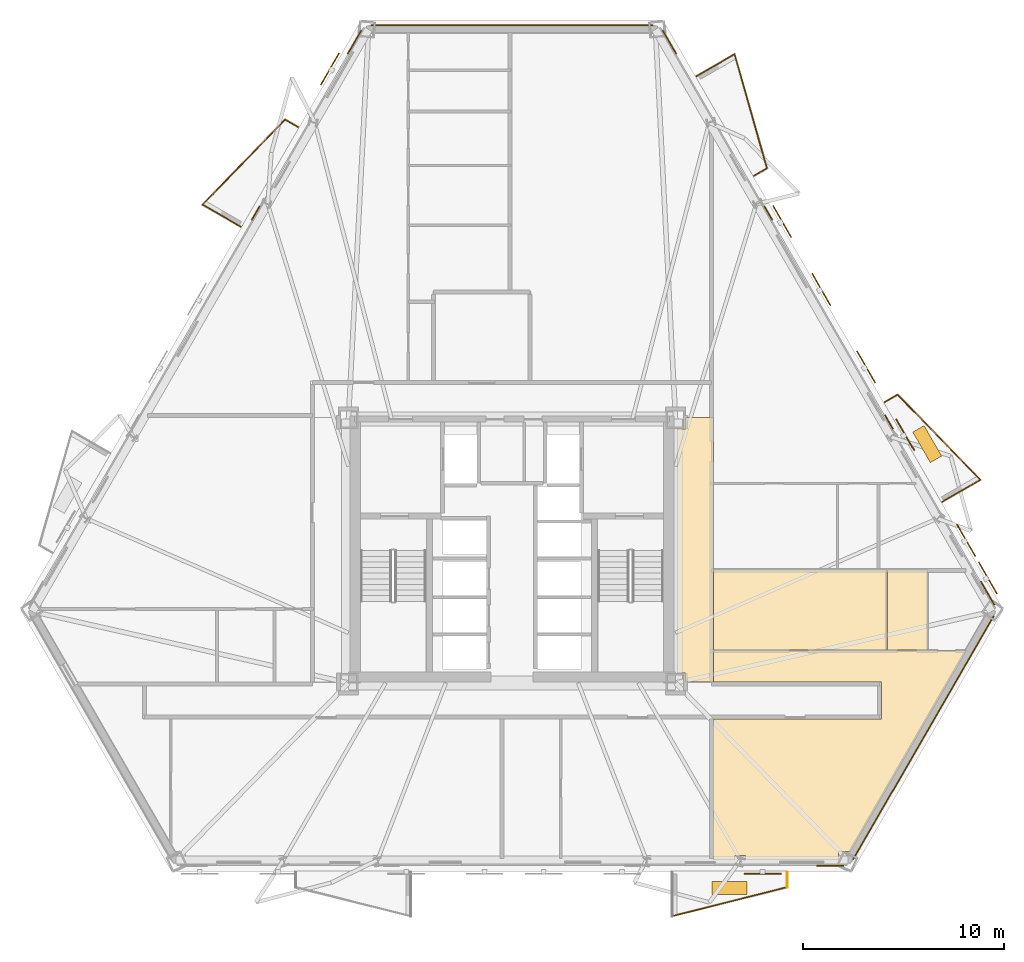
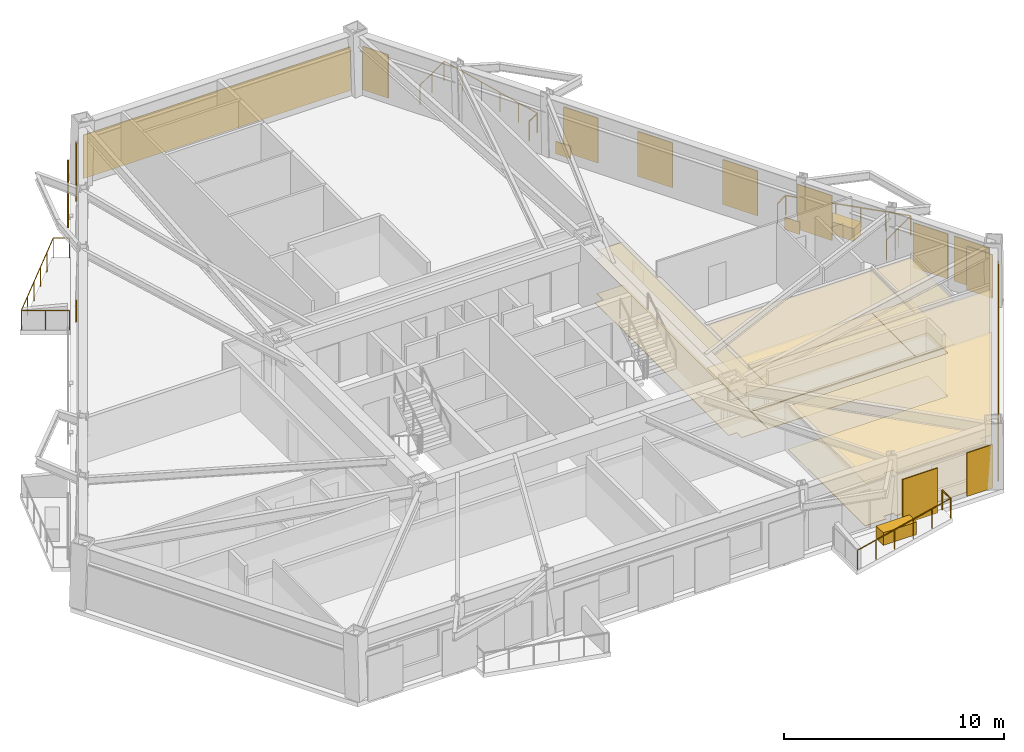
# One storey, part 10 of 10: 19 coverings, 11 railings, 8 shading devices.
"""IFC4 building model written with IfcOpenShell, lengths in metres."""

import ifcopenshell
import ifcopenshell.guid

model = None  # the IFC model being written
_history = None  # IfcOwnerHistory: only IFC2X3 demands one
_inside = {}  # id of a spatial element -> (the spatial element, [elements in it])
_under = {}  # id of a project, library or spatial element -> (it, [spatial elements below it])
_declared = {}  # id of a project -> (the project, [libraries it declares])
_typed = {}  # id of a type object -> (the type object, [elements of that type])
_made_of = {}  # id of a material, layer set ... -> (it, [elements and type objects made of it])


def new_model(schema):
    """Start an empty IFC model of exactly this schema.

    Asked for "IFC4X3", IfcOpenShell would pick the latest addendum, in which some entities
    have other attributes; the version numbers below select the first issue.
    IFC2X3 requires an IfcOwnerHistory on every rooted entity: one is made here for all.
    """
    global model, _history
    if schema == "IFC4X3":
        model = ifcopenshell.file(schema_version=(4, 3, 0, 0))
    else:
        model = ifcopenshell.file(schema=schema)
    _inside.clear()
    _under.clear()
    _declared.clear()
    _typed.clear()
    _made_of.clear()
    _history = None
    if model.schema == "IFC2X3":
        org = make("IfcOrganization", Name="unknown")
        user = make(
            "IfcPersonAndOrganization",
            ThePerson=make("IfcPerson", FamilyName="unknown"),
            TheOrganization=org,
        )
        app = make(
            "IfcApplication",
            ApplicationDeveloper=org,
            Version="unknown",
            ApplicationFullName="unknown",
            ApplicationIdentifier="unknown",
        )
        _history = make(
            "IfcOwnerHistory",
            OwningUser=user,
            OwningApplication=app,
            ChangeAction="ADDED",
            CreationDate=0,
        )
    return model


def make(cls, **values):
    """One entity of the class cls with the attributes given. An attribute that is None is left unset."""
    return model.create_entity(
        cls, **{name: value for name, value in values.items() if value is not None}
    )


def rooted(cls, **values):
    """An entity with a GlobalId (a new one), such as an element, a storey or a relation."""
    return make(cls, GlobalId=ifcopenshell.guid.new(), OwnerHistory=_history, **values)


def si_unit(unit_type, name, prefix=None):
    """IfcSIUnit, for example si_unit("LENGTHUNIT", "METRE", prefix="MILLI")."""
    return make("IfcSIUnit", UnitType=unit_type, Prefix=prefix, Name=name)


def assignment(units):
    """IfcUnitAssignment: the units of a project."""
    return None if units is None else make("IfcUnitAssignment", Units=units)


def point(xyz):
    """IfcCartesianPoint."""
    return None if xyz is None else make("IfcCartesianPoint", Coordinates=xyz)


def direction(xyz):
    """IfcDirection."""
    return None if xyz is None else make("IfcDirection", DirectionRatios=xyz)


def frame(location, z_axis=None, x_axis=None):
    """IfcAxis2Placement3D, a coordinate frame: its origin and axes. An axis left out is left unset."""
    return make(
        "IfcAxis2Placement3D",
        Location=point(location),
        Axis=direction(z_axis),
        RefDirection=direction(x_axis),
    )


def frame_2d(location, x_axis=None):
    """IfcAxis2Placement2D, a coordinate frame in the plane: its origin and x axis."""
    return make(
        "IfcAxis2Placement2D", Location=point(location), RefDirection=direction(x_axis)
    )


def origin():
    """The frame at (0, 0, 0) with its axes left unset."""
    return frame((0.0, 0.0, 0.0))


def origin_2d():
    """The frame at (0, 0) in the plane with its x axis left unset."""
    return frame_2d((0.0, 0.0))


def place(relative_to, where):
    """IfcLocalPlacement: puts the frame where relative to a parent placement (None: the world)."""
    return make(
        "IfcLocalPlacement", PlacementRelTo=relative_to, RelativePlacement=where
    )


def context(
    kind, dimensions, precision=None, world=None, true_north=None, identifier=None
):
    """IfcGeometricRepresentationContext, for example the 3D "Model" context."""
    return make(
        "IfcGeometricRepresentationContext",
        ContextIdentifier=identifier,
        ContextType=kind,
        CoordinateSpaceDimension=dimensions,
        Precision=precision,
        WorldCoordinateSystem=world,
        TrueNorth=true_north,
    )


def subcontext(parent, identifier, kind, view, scale=None):
    """IfcGeometricRepresentationSubContext, for example "Body" below "Model"."""
    return make(
        "IfcGeometricRepresentationSubContext",
        ContextIdentifier=identifier,
        ContextType=kind,
        ParentContext=parent,
        TargetScale=scale,
        TargetView=view,
    )


def project(units=None, contexts=None):
    """IfcProject with its units and contexts."""
    return rooted(
        "IfcProject",
        Name="project",
        RepresentationContexts=contexts,
        UnitsInContext=assignment(units),
    )


def spatial(cls, under=None, at=None, **own):
    """A site, building, storey or space (cls), placed at a placement, below another one or the project."""
    s = rooted(cls, ObjectPlacement=at, **own)
    if under is not None:
        _under.setdefault(under.id(), (under, []))[1].append(s)
    return s


def polyline(points):
    """IfcPolyline through the points."""
    return make("IfcPolyline", Points=[point(p) for p in points])


def profile(cls, at=None, kind="AREA", **sizes):
    """A parametric profile (cls). Its sizes go by their IFC names, for example OverallWidth=200.0."""
    return make(cls, ProfileType=kind, Position=at, **sizes)


def rectangle(**sizes):
    """IfcRectangleProfileDef."""
    return profile("IfcRectangleProfileDef", **sizes)


def circle(**sizes):
    """IfcCircleProfileDef."""
    return profile("IfcCircleProfileDef", **sizes)


def outline(outer, holes=None, kind="AREA"):
    """IfcArbitraryClosedProfileDef: a profile drawn as a closed curve; with holes, ...WithVoids."""
    if holes is None:
        return make("IfcArbitraryClosedProfileDef", ProfileType=kind, OuterCurve=outer)
    return make(
        "IfcArbitraryProfileDefWithVoids",
        ProfileType=kind,
        OuterCurve=outer,
        InnerCurves=holes,
    )


def extrude(swept, where, along, depth):
    """IfcExtrudedAreaSolid: the profile swept, set in the frame where, extruded along a direction by depth."""
    return make(
        "IfcExtrudedAreaSolid",
        SweptArea=swept,
        Position=where,
        ExtrudedDirection=direction(along),
        Depth=depth,
    )


def shape(context_of_items, identifier, shape_type, items):
    """IfcShapeRepresentation: the items that make up one representation, for example the "Body"."""
    return make(
        "IfcShapeRepresentation",
        ContextOfItems=context_of_items,
        RepresentationIdentifier=identifier,
        RepresentationType=shape_type,
        Items=items,
    )


def material(Name=None, Category=None):
    """IfcMaterial."""
    return make("IfcMaterial", Name=Name, Category=Category)


def layer(
    of_material, thickness, ventilated=None, Name=None, Category=None, Priority=None
):
    """IfcMaterialLayer: one layer of a wall or slab, of a material (None: an air gap)."""
    return make(
        "IfcMaterialLayer",
        Material=of_material,
        LayerThickness=thickness,
        IsVentilated=ventilated,
        Name=Name,
        Category=Category,
        Priority=Priority,
    )


def layer_set(layers, Name=None):
    """IfcMaterialLayerSet."""
    return make("IfcMaterialLayerSet", MaterialLayers=layers, LayerSetName=Name)


def made_of(thing, what):
    """Note that an element or type object is made of a material, layer set ...; save() writes the relation."""
    if what is not None:
        _made_of.setdefault(what.id(), (what, []))[1].append(thing)
    return thing


def type_object(cls, material=None, **own):
    """A type object (cls), such as IfcWallType, which elements share."""
    return made_of(rooted(cls, **own), material)


def element(
    cls,
    number,
    at=None,
    inside=None,
    cuts=None,
    type_object=None,
    material=None,
    context=None,
    identifier="Body",
    shape_type=None,
    held_by="IfcProductDefinitionShape",
    body=None,
    shapes=None,
    **own,
):
    """One element of the class cls, such as IfcWall. Its Tag is "e" and its number.

    at: its placement. inside: the storey or other place that contains it. cuts: it is an
    opening in that element (IfcRelVoidsElement). A single representation is given by context,
    identifier, shape_type and body (its items); several are given by shapes. held_by: the class
    of the entity that holds the representations. save() writes the other relations.
    """
    e = rooted(cls, Tag="e%d" % number, ObjectPlacement=at, **own)
    if body is not None:
        shapes = [shape(context, identifier, shape_type, body)]
    if shapes is not None:
        e.Representation = make(held_by, Representations=shapes)
    if inside is not None:
        _inside.setdefault(inside.id(), (inside, []))[1].append(e)
    if cuts is not None:
        rooted(
            "IfcRelVoidsElement", RelatingBuildingElement=cuts, RelatedOpeningElement=e
        )
    if type_object is not None:
        _typed.setdefault(type_object.id(), (type_object, []))[1].append(e)
    return made_of(e, material)


def aggregate(whole, parts):
    """IfcRelAggregates: a whole, such as a stair, and the parts it consists of."""
    return rooted("IfcRelAggregates", RelatingObject=whole, RelatedObjects=parts)


def save(model, path):
    """Write the relations noted so far, then the file.

    IfcRelAggregates (storeys below a building ...), IfcRelContainedInSpatialStructure (elements
    in a storey), IfcRelDefinesByType, IfcRelAssociatesMaterial and IfcRelDeclares: one each for
    every whole, place, type object, material and project.
    """
    for whole, parts in _under.values():
        aggregate(whole, parts)
    for where, things in _inside.values():
        rooted(
            "IfcRelContainedInSpatialStructure",
            RelatedElements=things,
            RelatingStructure=where,
        )
    for kind, things in _typed.values():
        rooted("IfcRelDefinesByType", RelatedObjects=things, RelatingType=kind)
    for what, things in _made_of.values():
        rooted("IfcRelAssociatesMaterial", RelatedObjects=things, RelatingMaterial=what)
    for by, libraries in _declared.values():
        rooted("IfcRelDeclares", RelatingContext=by, RelatedDefinitions=libraries)
    model.write(path)


model = new_model("IFC4")

# Units and contexts
model_context = context("Model", 3, precision=1e-05, world=origin(), true_north=direction((0.0, 1.0)))
body_context = subcontext(model_context, "Body", "Model", "MODEL_VIEW")
ifc_project = project(units=[si_unit("LENGTHUNIT", "METRE"), si_unit("AREAUNIT", "SQUARE_METRE"), si_unit("VOLUMEUNIT", "CUBIC_METRE"), si_unit("PLANEANGLEUNIT", "RADIAN"), si_unit("MASSUNIT", "GRAM", prefix="KILO")], contexts=[model_context])

# Site, building, storey
site_placement = place(None, origin())
site = spatial("IfcSite", under=ifc_project, at=site_placement, CompositionType="ELEMENT")
building_placement = place(site_placement, origin())
building = spatial("IfcBuilding", under=site, at=building_placement, Name="Oramaril Tower", CompositionType="ELEMENT")
storey_placement = place(building_placement, frame((0.0, 0.0, 52.5)))
storey = spatial("IfcBuildingStorey", under=building, at=storey_placement, Name="L13", CompositionType="ELEMENT", Elevation=52.5)

# Coverings
ifc_material_1 = material(Name="Mineral Fibre Acoustic Ceiling")
ifc_layer_1 = layer(ifc_material_1, 0.02001953125)
ifc_layer_set_1 = layer_set([ifc_layer_1], Name="CVT-CEIL")
covering_type_1 = type_object("IfcCoveringType", Name="CVT-CEIL", PredefinedType="CEILING", material=ifc_layer_set_1)
covering_1_placement = place(storey_placement, frame((0.0, 0.0, 2.39990234375)))
element("IfcCovering", 1, at=covering_1_placement, inside=storey, type_object=covering_type_1, Name="L13 Acoustic Suspended Ceiling 4", PredefinedType="CEILING", context=body_context, shape_type="SweptSolid", body=[
    extrude(outline(polyline([(47.530029296875, 11.050048828125), (46.14501953125, 11.050048828125), (46.14501953125, 11.4951171875), (45.719970703125, 11.4951171875), (45.719970703125, 23.655029296875), (46.14501953125, 23.655029296875), (46.14501953125, 24.219970703125), (47.530029296875, 24.219970703125), (47.530029296875, 11.050048828125)])), origin(), (0.0, 0.0, 1.0), 0.02001953125),
])
covering_2_placement = place(storey_placement, frame((0.0, 0.0, 2.39990234375)))
element("IfcCovering", 2, at=covering_2_placement, inside=storey, type_object=covering_type_1, Name="L13 Acoustic Suspended Ceiling 14", PredefinedType="CEILING", context=body_context, shape_type="SweptSolid", body=[
    extrude(outline(polyline([(60.16162109375, 12.617919921875), (54.37548828125, 2.59619140625), (53.781005859375, 2.59619140625), (53.781005859375, 2.185791015625), (49.125, 2.185791015625), (49.125, 2.4130859375), (48.61962890625, 2.4130859375), (48.61962890625, 2.185791015625), (47.511962890625, 2.185791015625), (47.511962890625, 9.199951171875), (55.8798828125, 9.199951171875), (55.882080078125, 9.2001953125), (55.8837890625, 9.200439453125), (55.8857421875, 9.200927734375), (55.8876953125, 9.201416015625), (55.889404296875, 9.202392578125), (55.89111328125, 9.203369140625), (55.892578125, 9.20458984375), (55.89404296875, 9.205810546875), (55.8955078125, 9.207275390625), (55.896484375, 9.208984375), (55.897705078125, 9.210693359375), (55.8984375, 9.21240234375), (55.899169921875, 9.214111328125), (55.899658203125, 9.216064453125), (55.89990234375, 9.218017578125), (55.89990234375, 9.219970703125), (55.89990234375, 11.030029296875), (55.89990234375, 11.031982421875), (55.899658203125, 11.033935546875), (55.899169921875, 11.035888671875), (55.8984375, 11.03759765625), (55.897705078125, 11.039306640625), (55.896484375, 11.041015625), (55.8955078125, 11.042724609375), (55.89404296875, 11.044189453125), (55.892578125, 11.04541015625), (55.89111328125, 11.046630859375), (55.889404296875, 11.047607421875), (55.8876953125, 11.048583984375), (55.8857421875, 11.049072265625), (55.8837890625, 11.049560546875), (55.882080078125, 11.0498046875), (55.8798828125, 11.050048828125), (47.550048828125, 11.050048828125), (47.550048828125, 12.617919921875), (60.16162109375, 12.617919921875)])), origin(), (0.0, 0.0, 1.0), 0.02001953125),
])
covering_3_placement = place(storey_placement, frame((0.0, 0.0, 2.39990234375)))
element("IfcCovering", 3, at=covering_3_placement, inside=storey, type_object=covering_type_1, Name="L13 Acoustic Suspended Ceiling 15", PredefinedType="CEILING", context=body_context, shape_type="SweptSolid", body=[
    extrude(outline(polyline([(56.19091796875, 16.64208984375), (56.19091796875, 12.6376953125), (47.550048828125, 12.6376953125), (47.550048828125, 16.64208984375), (56.19091796875, 16.64208984375)])), origin(), (0.0, 0.0, 1.0), 0.02001953125),
])
covering_4_placement = place(storey_placement, frame((0.0, 0.0, 2.39990234375)))
element("IfcCovering", 4, at=covering_4_placement, inside=storey, type_object=covering_type_1, Name="L13 Acoustic Suspended Ceiling 16", PredefinedType="CEILING", context=body_context, shape_type="SweptSolid", body=[
    extrude(outline(polyline([(58.24072265625, 16.64208984375), (58.24072265625, 12.6376953125), (56.210693359375, 12.6376953125), (56.210693359375, 16.64208984375), (58.24072265625, 16.64208984375)])), origin(), (0.0, 0.0, 1.0), 0.02001953125),
])
ifc_material_2 = material(Name="Warm Cream Limestone", Category="masonry")
ifc_layer_2 = layer(ifc_material_2, 0.050048828125)
ifc_layer_set_2 = layer_set([ifc_layer_2], Name="CVT-CLD")
covering_type_2 = type_object("IfcCoveringType", Name="CVT-CLD", PredefinedType="CLADDING", material=ifc_layer_set_2)
covering_5_placement = place(storey_placement, frame((53.350830078125, 1.884765625, 0.0400390625), z_axis=(0.0, 0.0, 1.0), x_axis=(1.0, 0.0, 0.0)))
element("IfcCovering", 5, at=covering_5_placement, inside=storey, type_object=covering_type_2, Name="L13 Warm Cream Limestone Cladding", PredefinedType="CLADDING", context=body_context, shape_type="SweptSolid", body=[
    extrude(rectangle(XDim=1.35009765625, YDim=0.050048828125, at=origin_2d()), origin(), (0.0, 0.0, 1.0), 2.4140625),
])
covering_6_placement = place(storey_placement, frame((57.99658203125, 8.26611328125, 0.0400390625), z_axis=(0.0, 0.0, 1.0), x_axis=(0.5, 0.866025403784, 0.0)))
element("IfcCovering", 6, at=covering_6_placement, inside=storey, type_object=covering_type_2, Name="L13 Warm Cream Limestone Cladding", PredefinedType="CLADDING", context=body_context, shape_type="SweptSolid", body=[
    extrude(rectangle(XDim=14.0146484375, YDim=0.050048828125, at=origin_2d()), origin(), (0.0, 0.0, 1.0), 2.4140625),
])
for number, where, z_axis, x_axis, name in (
    (7, (61.2001953125, 15.480224609375, 0.0400390625), (0.0, 0.0, 1.0), (-0.5, 0.866025403784, 0.0), "L13 Warm Cream Limestone Cladding"),
    (8, (45.349365234375, 42.934814453125, 0.0400390625), (0.0, 0.0, 1.0), (-0.5, 0.866025403784, 0.0), "L13 Warm Cream Limestone Cladding"),
):
    element("IfcCovering", number, at=place(storey_placement, frame(where, z_axis=z_axis, x_axis=x_axis)), inside=storey, type_object=covering_type_2, Name=name, PredefinedType="CLADDING", context=body_context, shape_type="SweptSolid", body=[
        extrude(rectangle(XDim=1.35009765625, YDim=0.050048828125, at=origin_2d()), origin(), (0.0, 0.0, 1.0), 2.4140625),
    ])
for number, where, z_axis, x_axis, name in (
    (9, (56.281005859375, 24.000732421875, 0.0400390625), (0.0, 0.0, 1.0), (-0.5, 0.866025403784, 0.0), "L13 Warm Cream Limestone Spandrel Cladding"),
    (10, (50.268798828125, 34.414306640625, 0.0400390625), (0.0, 0.0, 1.0), (-0.5, 0.866025403784, 0.0), "L13 Warm Cream Limestone Spandrel Cladding"),
):
    element("IfcCovering", number, at=place(storey_placement, frame(where, z_axis=z_axis, x_axis=x_axis)), inside=storey, type_object=covering_type_2, Name=name, PredefinedType="CLADDING", context=body_context, shape_type="SweptSolid", body=[
        extrude(rectangle(XDim=0.800048828125, YDim=0.050048828125, at=origin_2d()), origin(), (0.0, 0.0, 1.0), 0.679931640625),
    ])
covering_7_placement = place(storey_placement, frame((37.5, 43.767578125, 0.0400390625), z_axis=(0.0, 0.0, 1.0), x_axis=(-1.0, 0.0, 0.0)))
element("IfcCovering", 11, at=covering_7_placement, inside=storey, type_object=covering_type_2, Name="L13 Warm Cream Limestone Cladding", PredefinedType="CLADDING", context=body_context, shape_type="SweptSolid", body=[
    extrude(rectangle(XDim=14.0146484375, YDim=0.050048828125, at=origin_2d()), origin(), (0.0, 0.0, 1.0), 2.4140625),
])
covering_8_placement = place(storey_placement, frame((29.650634765625, 42.934814453125, 0.0400390625), z_axis=(0.0, 0.0, 1.0), x_axis=(-0.5, -0.866025403784, 0.0)))
element("IfcCovering", 12, at=covering_8_placement, inside=storey, type_object=covering_type_2, Name="L13 Warm Cream Limestone Cladding", PredefinedType="CLADDING", context=body_context, shape_type="SweptSolid", body=[
    extrude(rectangle(XDim=1.35009765625, YDim=0.050048828125, at=origin_2d()), origin(), (0.0, 0.0, 1.0), 2.4140625),
])
covering_9_placement = place(storey_placement, frame((24.731201171875, 34.414306640625, 0.0400390625), z_axis=(0.0, 0.0, 1.0), x_axis=(-0.5, -0.866025403784, 0.0)))
element("IfcCovering", 13, at=covering_9_placement, inside=storey, type_object=covering_type_2, Name="L13 Warm Cream Limestone Spandrel Cladding", PredefinedType="CLADDING", context=body_context, shape_type="SweptSolid", body=[
    extrude(rectangle(XDim=0.800048828125, YDim=0.050048828125, at=origin_2d()), origin(), (0.0, 0.0, 1.0), 0.679931640625),
])
for number, where, z_axis, x_axis, name in (
    (14, (48.341552734375, 0.78125, 0.0), (0.0, 0.0, 1.0), (1.0, 0.0, 0.0), "L13 Structural Tree Planter Box L13-BAL-S2"),
    (15, (58.18896484375, 22.903564453125, 0.0), (0.0, 0.0, 1.0), (-0.500001511499, 0.866024531118, 0.0), "L13 Structural Tree Planter Box L13-BAL-NE1"),
):
    element("IfcCovering", number, at=place(storey_placement, frame(where, z_axis=z_axis, x_axis=x_axis)), inside=storey, type_object=covering_type_2, Name=name, PredefinedType="CLADDING", context=body_context, shape_type="SweptSolid", body=[
        extrude(rectangle(XDim=1.75, YDim=0.64990234375, at=origin_2d()), origin(), (0.0, 0.0, 1.0), 0.699951171875),
    ])
ifc_material_3 = material(Name="Honed Quartzite Stone Flooring", Category="masonry")
ifc_layer_3 = layer(ifc_material_3, 0.02490234375)
ifc_layer_set_3 = layer_set([ifc_layer_3], Name="CVT-FLR")
covering_type_3 = type_object("IfcCoveringType", Name="CVT-FLR", PredefinedType="FLOORING", material=ifc_layer_set_3)
covering_10_placement = place(storey_placement, origin())
element("IfcCovering", 16, at=covering_10_placement, inside=storey, type_object=covering_type_3, Name="L13 Honed Stone Floor Finish 4", PredefinedType="FLOORING", context=body_context, shape_type="SweptSolid", body=[
    extrude(outline(polyline([(47.530029296875, 11.050048828125), (46.14501953125, 11.050048828125), (46.14501953125, 11.4951171875), (45.719970703125, 11.4951171875), (45.719970703125, 23.655029296875), (46.14501953125, 23.655029296875), (46.14501953125, 24.219970703125), (47.530029296875, 24.219970703125), (47.530029296875, 11.050048828125)])), origin(), (0.0, 0.0, 1.0), 0.02490234375),
])
covering_11_placement = place(storey_placement, origin())
element("IfcCovering", 17, at=covering_11_placement, inside=storey, type_object=covering_type_3, Name="L13 Honed Stone Floor Finish 14", PredefinedType="FLOORING", context=body_context, shape_type="SweptSolid", body=[
    extrude(outline(polyline([(60.16162109375, 12.617919921875), (54.37548828125, 2.59619140625), (53.781005859375, 2.59619140625), (53.781005859375, 2.185791015625), (49.125, 2.185791015625), (49.125, 2.4130859375), (48.61962890625, 2.4130859375), (48.61962890625, 2.185791015625), (47.511962890625, 2.185791015625), (47.511962890625, 9.199951171875), (55.8798828125, 9.199951171875), (55.882080078125, 9.2001953125), (55.8837890625, 9.200439453125), (55.8857421875, 9.200927734375), (55.8876953125, 9.201416015625), (55.889404296875, 9.202392578125), (55.89111328125, 9.203369140625), (55.892578125, 9.20458984375), (55.89404296875, 9.205810546875), (55.8955078125, 9.207275390625), (55.896484375, 9.208984375), (55.897705078125, 9.210693359375), (55.8984375, 9.21240234375), (55.899169921875, 9.214111328125), (55.899658203125, 9.216064453125), (55.89990234375, 9.218017578125), (55.89990234375, 9.219970703125), (55.89990234375, 11.030029296875), (55.89990234375, 11.031982421875), (55.899658203125, 11.033935546875), (55.899169921875, 11.035888671875), (55.8984375, 11.03759765625), (55.897705078125, 11.039306640625), (55.896484375, 11.041015625), (55.8955078125, 11.042724609375), (55.89404296875, 11.044189453125), (55.892578125, 11.04541015625), (55.89111328125, 11.046630859375), (55.889404296875, 11.047607421875), (55.8876953125, 11.048583984375), (55.8857421875, 11.049072265625), (55.8837890625, 11.049560546875), (55.882080078125, 11.0498046875), (55.8798828125, 11.050048828125), (47.550048828125, 11.050048828125), (47.550048828125, 12.617919921875), (60.16162109375, 12.617919921875)])), origin(), (0.0, 0.0, 1.0), 0.02490234375),
])
covering_12_placement = place(storey_placement, origin())
element("IfcCovering", 18, at=covering_12_placement, inside=storey, type_object=covering_type_3, Name="L13 Honed Stone Floor Finish 15", PredefinedType="FLOORING", context=body_context, shape_type="SweptSolid", body=[
    extrude(outline(polyline([(56.19091796875, 16.64208984375), (56.19091796875, 12.6376953125), (47.550048828125, 12.6376953125), (47.550048828125, 16.64208984375), (56.19091796875, 16.64208984375)])), origin(), (0.0, 0.0, 1.0), 0.02490234375),
])
covering_13_placement = place(storey_placement, origin())
element("IfcCovering", 19, at=covering_13_placement, inside=storey, type_object=covering_type_3, Name="L13 Honed Stone Floor Finish 16", PredefinedType="FLOORING", context=body_context, shape_type="SweptSolid", body=[
    extrude(outline(polyline([(58.24072265625, 16.64208984375), (58.24072265625, 12.6376953125), (56.210693359375, 12.6376953125), (56.210693359375, 16.64208984375), (58.24072265625, 16.64208984375)])), origin(), (0.0, 0.0, 1.0), 0.02490234375),
])

# Railings
ifc_material_4 = material(Name="Stainless Steel 316L", Category="steel")
railing_type = type_object("IfcRailingType", Name="RLT-GRD", PredefinedType="GUARDRAIL", material=ifc_material_4)
railing_1_placement = place(storey_placement, frame((51.20654296875, 1.569580078125, 0.0)))
element("IfcRailing", 20, at=railing_1_placement, inside=storey, type_object=railing_type, Name="L13 Balcony Guardrail L13-BAL-S2.1", PredefinedType="GUARDRAIL", context=body_context, shape_type="SweptSolid", body=[
    extrude(circle(Radius=0.02392578125, at=origin_2d()), frame((0.0, 0.0, 1.076171875), z_axis=(0.0, -1.0, 0.0), x_axis=(1.0, 0.0, 0.0)), (0.0, 0.0, 1.0), 0.741943359375),
    extrude(circle(Radius=0.02099609375, at=origin_2d()), origin(), (0.0, 0.0, 1.0), 1.052001953125),
    extrude(circle(Radius=0.02099609375, at=origin_2d()), frame((0.0, -0.741943359375, 0.0)), (0.0, 0.0, 1.0), 1.052001953125),
])
railing_2_placement = place(storey_placement, frame((51.20654296875, 0.82763671875, 0.0)))
element("IfcRailing", 21, at=railing_2_placement, inside=storey, type_object=railing_type, Name="L13 Balcony Guardrail L13-BAL-S2.2", PredefinedType="GUARDRAIL", context=body_context, shape_type="SweptSolid", body=[
    extrude(circle(Radius=0.02392578125, at=origin_2d()), frame((0.0, 0.0, 1.076171875), z_axis=(-0.969443611257, -0.245314256807, 0.0), x_axis=(0.245314256807, -0.969443611257, 0.0)), (0.0, 0.0, 1.0), 5.91064453125),
    extrude(circle(Radius=0.02099609375, at=origin_2d()), origin(), (0.0, 0.0, 1.0), 1.052001953125),
    extrude(circle(Radius=0.02099609375, at=origin_2d()), frame((-1.14599609375, -0.2900390625, 0.0)), (0.0, 0.0, 1.0), 1.052001953125),
    extrude(circle(Radius=0.02099609375, at=origin_2d()), frame((-2.2919921875, -0.580078125, 0.0)), (0.0, 0.0, 1.0), 1.052001953125),
    extrude(circle(Radius=0.02099609375, at=origin_2d()), frame((-3.43798828125, -0.869873046875, 0.0)), (0.0, 0.0, 1.0), 1.052001953125),
    extrude(circle(Radius=0.02099609375, at=origin_2d()), frame((-4.583984375, -1.159912109375, 0.0)), (0.0, 0.0, 1.0), 1.052001953125),
    extrude(circle(Radius=0.02099609375, at=origin_2d()), frame((-5.72998046875, -1.449951171875, 0.0)), (0.0, 0.0, 1.0), 1.052001953125),
])
railing_3_placement = place(storey_placement, frame((56.073486328125, 24.990478515625, 0.0)))
element("IfcRailing", 22, at=railing_3_placement, inside=storey, type_object=railing_type, Name="L13 Balcony Guardrail L13-BAL-NE1.1", PredefinedType="GUARDRAIL", context=body_context, shape_type="SweptSolid", body=[
    extrude(circle(Radius=0.02392578125, at=origin_2d()), frame((0.0, 0.0, 1.076171875), z_axis=(0.866108878364, 0.499855389907, 0.0), x_axis=(-0.499855389907, 0.866108878364, 0.0)), (0.0, 0.0, 1.0), 0.741943359375),
    extrude(circle(Radius=0.02099609375, at=origin_2d()), origin(), (0.0, 0.0, 1.0), 1.052001953125),
    extrude(circle(Radius=0.02099609375, at=origin_2d()), frame((0.642578125, 0.370849609375, 0.0)), (0.0, 0.0, 1.0), 1.052001953125),
])
railing_4_placement = place(storey_placement, frame((56.716064453125, 25.361328125, 0.0)))
element("IfcRailing", 23, at=railing_4_placement, inside=storey, type_object=railing_type, Name="L13 Balcony Guardrail L13-BAL-NE1.2", PredefinedType="GUARDRAIL", context=body_context, shape_type="SweptSolid", body=[
    extrude(circle(Radius=0.02392578125, at=origin_2d()), frame((0.0, 0.0, 1.076171875), z_axis=(0.697186915353, -0.716889395277, 0.0), x_axis=(0.716889395277, 0.697186915353, 0.0)), (0.0, 0.0, 1.0), 5.91064453125),
    extrude(circle(Radius=0.02099609375, at=origin_2d()), origin(), (0.0, 0.0, 1.0), 1.052001953125),
    extrude(circle(Radius=0.02099609375, at=origin_2d()), frame((0.82421875, -0.847412109375, 0.0)), (0.0, 0.0, 1.0), 1.052001953125),
    extrude(circle(Radius=0.02099609375, at=origin_2d()), frame((1.6484375, -1.69482421875, 0.0)), (0.0, 0.0, 1.0), 1.052001953125),
    extrude(circle(Radius=0.02099609375, at=origin_2d()), frame((2.472412109375, -2.54248046875, 0.0)), (0.0, 0.0, 1.0), 1.052001953125),
    extrude(circle(Radius=0.02099609375, at=origin_2d()), frame((3.296630859375, -3.389892578125, 0.0)), (0.0, 0.0, 1.0), 1.052001953125),
    extrude(circle(Radius=0.02099609375, at=origin_2d()), frame((4.120849609375, -4.2373046875, 0.0)), (0.0, 0.0, 1.0), 1.052001953125),
])
railing_5_placement = place(storey_placement, frame((60.8369140625, 21.1240234375, 0.0)))
element("IfcRailing", 24, at=railing_5_placement, inside=storey, type_object=railing_type, Name="L13 Balcony Guardrail L13-BAL-NE1.3", PredefinedType="GUARDRAIL", context=body_context, shape_type="SweptSolid", body=[
    extrude(circle(Radius=0.02392578125, at=origin_2d()), frame((0.0, 0.0, 1.076171875), z_axis=(-0.866048343933, -0.499960264392, 0.0), x_axis=(0.499960264392, -0.866048343933, 0.0)), (0.0, 0.0, 1.0), 2.192138671875),
    extrude(circle(Radius=0.02099609375, at=origin_2d()), origin(), (0.0, 0.0, 1.0), 1.052001953125),
    extrude(circle(Radius=0.02099609375, at=origin_2d()), frame((-0.94921875, -0.5478515625, 0.0)), (0.0, 0.0, 1.0), 1.052001953125),
    extrude(circle(Radius=0.02099609375, at=origin_2d()), frame((-1.8984375, -1.095947265625, 0.0)), (0.0, 0.0, 1.0), 1.052001953125),
])
railing_6_placement = place(storey_placement, frame((46.694580078125, 41.235107421875, 0.0)))
element("IfcRailing", 25, at=railing_6_placement, inside=storey, type_object=railing_type, Name="L13 Balcony Guardrail L13-BAL-NE2.1", PredefinedType="GUARDRAIL", context=body_context, shape_type="SweptSolid", body=[
    extrude(circle(Radius=0.02392578125, at=origin_2d()), frame((0.0, 0.0, 1.076171875), z_axis=(0.865972267571, 0.50009202333, 0.0), x_axis=(-0.50009202333, 0.865972267571, 0.0)), (0.0, 0.0, 1.0), 2.19189453125),
    extrude(circle(Radius=0.02099609375, at=origin_2d()), origin(), (0.0, 0.0, 1.0), 1.052001953125),
    extrude(circle(Radius=0.02099609375, at=origin_2d()), frame((0.94921875, 0.548095703125, 0.0)), (0.0, 0.0, 1.0), 1.052001953125),
    extrude(circle(Radius=0.02099609375, at=origin_2d()), frame((1.898193359375, 1.09619140625, 0.0)), (0.0, 0.0, 1.0), 1.052001953125),
])
railing_7_placement = place(storey_placement, frame((48.5927734375, 42.331298828125, 0.0)))
element("IfcRailing", 26, at=railing_7_placement, inside=storey, type_object=railing_type, Name="L13 Balcony Guardrail L13-BAL-NE2.2", PredefinedType="GUARDRAIL", context=body_context, shape_type="SweptSolid", body=[
    extrude(circle(Radius=0.02392578125, at=origin_2d()), frame((0.0, 0.0, 1.076171875), z_axis=(0.27224886544, -0.962226873074, 0.0), x_axis=(0.962226873074, 0.27224886544, 0.0)), (0.0, 0.0, 1.0), 5.910400390625),
    extrude(circle(Radius=0.02099609375, at=origin_2d()), origin(), (0.0, 0.0, 1.0), 1.052001953125),
    extrude(circle(Radius=0.02099609375, at=origin_2d()), frame((0.32177734375, -1.137451171875, 0.0)), (0.0, 0.0, 1.0), 1.052001953125),
    extrude(circle(Radius=0.02099609375, at=origin_2d()), frame((0.6435546875, -2.27490234375, 0.0)), (0.0, 0.0, 1.0), 1.052001953125),
    extrude(circle(Radius=0.02099609375, at=origin_2d()), frame((0.965576171875, -3.412353515625, 0.0)), (0.0, 0.0, 1.0), 1.052001953125),
    extrude(circle(Radius=0.02099609375, at=origin_2d()), frame((1.287353515625, -4.5498046875, 0.0)), (0.0, 0.0, 1.0), 1.052001953125),
    extrude(circle(Radius=0.02099609375, at=origin_2d()), frame((1.609130859375, -5.687255859375, 0.0)), (0.0, 0.0, 1.0), 1.052001953125),
])
railing_8_placement = place(storey_placement, frame((50.201904296875, 36.64404296875, 0.0)))
element("IfcRailing", 27, at=railing_8_placement, inside=storey, type_object=railing_type, Name="L13 Balcony Guardrail L13-BAL-NE2.3", PredefinedType="GUARDRAIL", context=body_context, shape_type="SweptSolid", body=[
    extrude(circle(Radius=0.02392578125, at=origin_2d()), frame((0.0, 0.0, 1.076171875), z_axis=(-0.865884080729, -0.500244698863, 0.0), x_axis=(0.500244698863, -0.865884080729, 0.0)), (0.0, 0.0, 1.0), 0.741943359375),
    extrude(circle(Radius=0.02099609375, at=origin_2d()), origin(), (0.0, 0.0, 1.0), 1.052001953125),
    extrude(circle(Radius=0.02099609375, at=origin_2d()), frame((-0.642333984375, -0.37109375, 0.0)), (0.0, 0.0, 1.0), 1.052001953125),
])
railing_9_placement = place(storey_placement, frame((23.97802734375, 33.73974609375, 0.0)))
element("IfcRailing", 28, at=railing_9_placement, inside=storey, type_object=railing_type, Name="L13 Balcony Guardrail L13-BAL-NW1.1", PredefinedType="GUARDRAIL", context=body_context, shape_type="SweptSolid", body=[
    extrude(circle(Radius=0.02392578125, at=origin_2d()), frame((0.0, 0.0, 1.076171875), z_axis=(-0.866048343933, 0.499960264392, 0.0), x_axis=(-0.499960264392, -0.866048343933, 0.0)), (0.0, 0.0, 1.0), 2.192138671875),
    extrude(circle(Radius=0.02099609375, at=origin_2d()), origin(), (0.0, 0.0, 1.0), 1.052001953125),
    extrude(circle(Radius=0.02099609375, at=origin_2d()), frame((-0.94921875, 0.5478515625, 0.0)), (0.0, 0.0, 1.0), 1.052001953125),
    extrude(circle(Radius=0.02099609375, at=origin_2d()), frame((-1.8984375, 1.095947265625, 0.0)), (0.0, 0.0, 1.0), 1.052001953125),
])
railing_10_placement = place(storey_placement, frame((22.07958984375, 34.835693359375, 0.0)))
element("IfcRailing", 29, at=railing_10_placement, inside=storey, type_object=railing_type, Name="L13 Balcony Guardrail L13-BAL-NW1.2", PredefinedType="GUARDRAIL", context=body_context, shape_type="SweptSolid", body=[
    extrude(circle(Radius=0.02392578125, at=origin_2d()), frame((0.0, 0.0, 1.076171875), z_axis=(0.697186915353, 0.716889395277, 0.0), x_axis=(-0.716889395277, 0.697186915353, 0.0)), (0.0, 0.0, 1.0), 5.91064453125),
    extrude(circle(Radius=0.02099609375, at=origin_2d()), origin(), (0.0, 0.0, 1.0), 1.052001953125),
    extrude(circle(Radius=0.02099609375, at=origin_2d()), frame((0.82421875, 0.847412109375, 0.0)), (0.0, 0.0, 1.0), 1.052001953125),
    extrude(circle(Radius=0.02099609375, at=origin_2d()), frame((1.6484375, 1.69482421875, 0.0)), (0.0, 0.0, 1.0), 1.052001953125),
    extrude(circle(Radius=0.02099609375, at=origin_2d()), frame((2.472412109375, 2.54248046875, 0.0)), (0.0, 0.0, 1.0), 1.052001953125),
    extrude(circle(Radius=0.02099609375, at=origin_2d()), frame((3.296630859375, 3.389892578125, 0.0)), (0.0, 0.0, 1.0), 1.052001953125),
    extrude(circle(Radius=0.02099609375, at=origin_2d()), frame((4.120849609375, 4.2373046875, 0.0)), (0.0, 0.0, 1.0), 1.052001953125),
])
railing_11_placement = place(storey_placement, frame((26.200439453125, 39.072998046875, 0.0)))
element("IfcRailing", 30, at=railing_11_placement, inside=storey, type_object=railing_type, Name="L13 Balcony Guardrail L13-BAL-NW1.3", PredefinedType="GUARDRAIL", context=body_context, shape_type="SweptSolid", body=[
    extrude(circle(Radius=0.02392578125, at=origin_2d()), frame((0.0, 0.0, 1.076171875), z_axis=(0.866108878364, -0.499855389907, 0.0), x_axis=(0.499855389907, 0.866108878364, 0.0)), (0.0, 0.0, 1.0), 0.741943359375),
    extrude(circle(Radius=0.02099609375, at=origin_2d()), origin(), (0.0, 0.0, 1.0), 1.052001953125),
    extrude(circle(Radius=0.02099609375, at=origin_2d()), frame((0.642578125, -0.370849609375, 0.0)), (0.0, 0.0, 1.0), 1.052001953125),
])

# Shading devices
for number, where, z_axis, x_axis, name in (
    (31, (49.987548828125, 1.497802734375, -0.02001953125), (0.0, 0.0, 1.0), (1.0, 0.0, 0.0), "L13 Perforated Ceramic Solar Screen"),
    (32, (61.210693359375, 16.236083984375, -0.02001953125), (0.0, 0.0, 1.0), (-0.5, 0.866025403784, 0.0), "L13 Perforated Ceramic Solar Screen"),
    (33, (57.094482421875, 23.36572265625, -0.02001953125), (0.0, 0.0, 1.0), (-0.5, 0.866025403784, 0.0), "L13 Perforated Ceramic Solar Screen"),
    (34, (55.14453125, 26.7431640625, -0.02001953125), (0.0, 0.0, 1.0), (-0.5, 0.866025403784, 0.0), "L13 Perforated Ceramic Solar Screen"),
    (35, (52.91015625, 30.61328125, -0.02001953125), (0.0, 0.0, 1.0), (-0.5, 0.866025403784, 0.0), "L13 Perforated Ceramic Solar Screen"),
    (36, (50.960205078125, 33.990966796875, -0.02001953125), (0.0, 0.0, 1.0), (-0.5, 0.866025403784, 0.0), "L13 Perforated Ceramic Solar Screen"),
    (37, (60.131103515625, 18.106201171875, -0.02001953125), (0.0, 0.0, 1.0), (-0.5, 0.866025403784, 0.0), "L13 Perforated Ceramic Solar Screen"),
    (38, (28.429931640625, 41.5947265625, -0.02001953125), (0.0, 0.0, 1.0), (-0.5, -0.866025403784, 0.0), "L13 Perforated Ceramic Solar Screen"),
):
    element("IfcShadingDevice", number, at=place(storey_placement, frame(where, z_axis=z_axis, x_axis=x_axis)), inside=storey, Name=name, ObjectType="SCREEN", PredefinedType="USERDEFINED", context=body_context, shape_type="SweptSolid", body=[
        extrude(rectangle(XDim=1.8330078125, YDim=0.050048828125, at=origin_2d()), origin(), (0.0, 0.0, 1.0), 2.493896484375),
    ])

save(model, "model.ifc")
